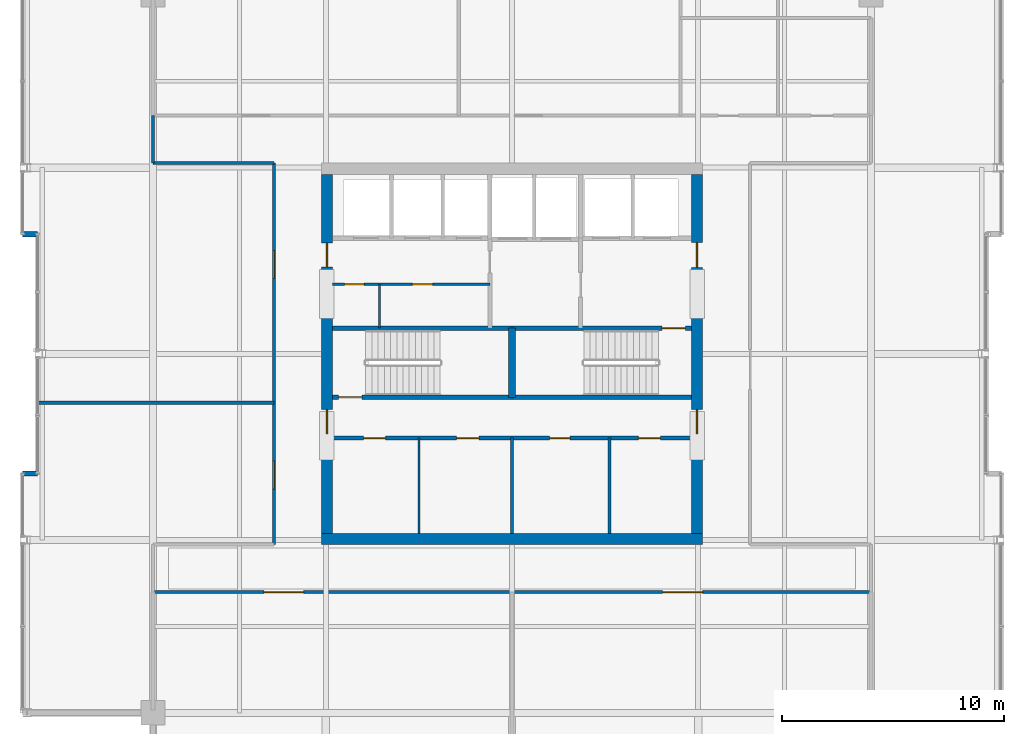
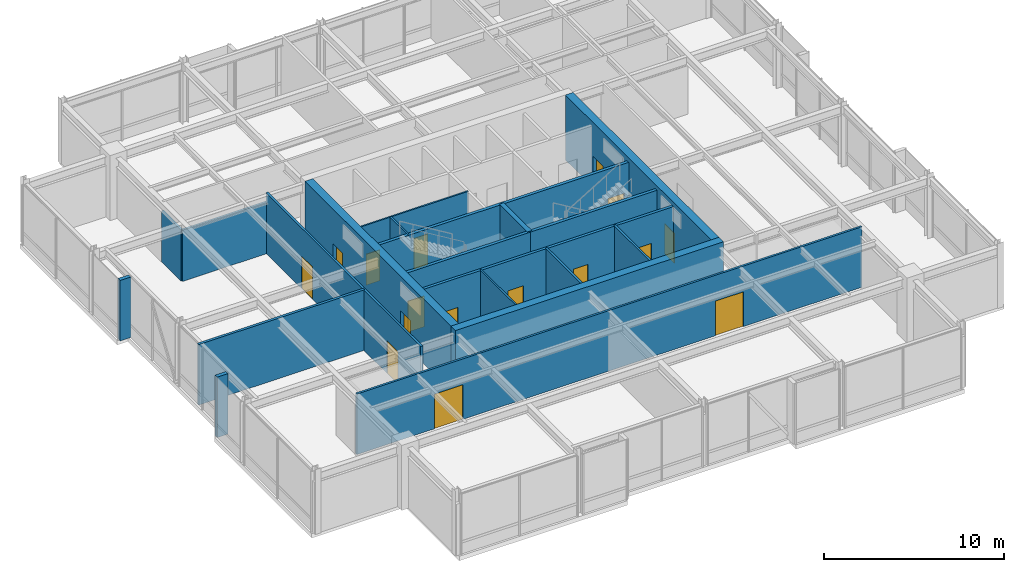
# One storey, part 29 of 34: 21 walls, 16 doors, 16 openings.
"""IFC4 building model written with IfcOpenShell, lengths in metres."""

from ifc_helpers import new_model, si_unit, direction, frame, frame_2d, origin, place, context, subcontext, project, spatial, rectangle, extrude, material, layer, layer_set, type_object, element, fill, save


model = new_model("IFC4")

# Units and contexts
model_context = context("Model", 3, precision=1e-05, world=origin(), true_north=direction((0.0, 1.0)))
body_context = subcontext(model_context, "Body", "Model", "MODEL_VIEW")
ifc_project = project(units=[si_unit("LENGTHUNIT", "METRE"), si_unit("AREAUNIT", "SQUARE_METRE"), si_unit("VOLUMEUNIT", "CUBIC_METRE"), si_unit("PLANEANGLEUNIT", "RADIAN"), si_unit("MASSUNIT", "GRAM", prefix="KILO")], contexts=[model_context])

# Site, building, storey
site_placement = place(None, origin())
site = spatial("IfcSite", under=ifc_project, at=site_placement, CompositionType="ELEMENT")
building_placement = place(site_placement, origin())
building = spatial("IfcBuilding", under=site, at=building_placement, Name="Drelvath Grand Hotel", CompositionType="ELEMENT")
storey_placement = place(building_placement, frame((0.0, 0.0, 294.199951171875)))
storey = spatial("IfcBuildingStorey", under=building, at=storey_placement, Name="L77", CompositionType="ELEMENT", Elevation=294.199951171875)

# Wall, openings, doors
ifc_material_1 = material(Name="Gypsum Partition Board")
ifc_layer_1 = layer(ifc_material_1, 0.10009765625)
ifc_layer_set_1 = layer_set([ifc_layer_1], Name="Gypsum Partition Board")
wall_type_1 = type_object("IfcWallType", Name="Core Closet Partition 100", PredefinedType="PARTITIONING", material=ifc_layer_set_1)
wall_1_placement = place(storey_placement, frame((-8.10009765625, 30.139892578125, 0.0), z_axis=(0.0, 0.0, 1.0), x_axis=(1.0, 0.0, 0.0)))
wall_1 = element("IfcWall", 1, at=wall_1_placement, inside=storey, type_object=wall_type_1, Name="L77 High-Rise Lobby Closet Wall", PredefinedType="PARTITIONING", context=body_context, shape_type="SweptSolid", body=[
    extrude(rectangle(XDim=7.10009765625, YDim=0.10009765625, at=frame_2d((3.550048828125, 0.0))), origin(), (0.0, 0.0, 1.0), 4.10009765625),
])
opening_1_placement = place(wall_1_placement, frame((0.550048828125, 0.0, 0.0)))
opening_1 = element("IfcOpeningElement", 2, at=opening_1_placement, cuts=wall_1, Name="Opening D-L77-014", PredefinedType="OPENING", context=body_context, shape_type="SweptSolid", body=[
    extrude(rectangle(XDim=0.8798828125, YDim=2.10009765625, at=frame_2d((0.43994140625, 1.050048828125))), frame((0.0, 0.06005859375, 0.0), z_axis=(0.0, -1.0, 0.0), x_axis=(1.0, 0.0, 0.0)), (0.0, 0.0, 1.0), 0.1201171875),
])
opening_2_placement = place(wall_1_placement, frame((3.60009765625, 0.0, 0.0)))
opening_2 = element("IfcOpeningElement", 3, at=opening_2_placement, cuts=wall_1, Name="Opening D-L77-015", PredefinedType="OPENING", context=body_context, shape_type="SweptSolid", body=[
    extrude(rectangle(XDim=0.919921875, YDim=2.10009765625, at=frame_2d((0.4599609375, 1.050048828125))), frame((0.0, 0.06005859375, 0.0), z_axis=(0.0, -1.0, 0.0), x_axis=(1.0, 0.0, 0.0)), (0.0, 0.0, 1.0), 0.1201171875),
])
ifc_material_2 = material(Name="Hardwood Walnut Timber", Category="wood")
door_type_1 = type_object("IfcDoorType", Name="En-Suite Bathroom Door 880x2100", OperationType="NOTDEFINED", PredefinedType="DOOR", material=ifc_material_2)
door_1_placement = place(opening_1_placement, origin())
door_1 = element("IfcDoor", 4, at=door_1_placement, inside=storey, type_object=door_type_1, Name="L77 Low-Voltage Closet Door", OperationType="SINGLE_SWING_LEFT", OverallHeight=2.10009765625, OverallWidth=0.8798828125, PredefinedType="DOOR", context=body_context, shape_type="SweptSolid", body=[
    extrude(rectangle(XDim=0.8798828125, YDim=2.10009765625, at=frame_2d((0.43994140625, 1.050048828125))), frame((0.0, 0.02490234375, 0.0), z_axis=(0.0, -1.0, 0.0), x_axis=(1.0, 0.0, 0.0)), (0.0, 0.0, 1.0), 0.050048828125),
])
fill(opening_1, door_1)
ifc_material_3 = material(Name="Painted Steel S275", Category="steel")
door_type_2 = type_object("IfcDoorType", Name="Staff Utility Door 920x2100", OperationType="NOTDEFINED", PredefinedType="DOOR", material=ifc_material_3)
door_2_placement = place(opening_2_placement, origin())
door_2 = element("IfcDoor", 5, at=door_2_placement, inside=storey, type_object=door_type_2, Name="L77 Telecom Distribution Door", OperationType="SINGLE_SWING_RIGHT", OverallHeight=2.10009765625, OverallWidth=0.919921875, PredefinedType="DOOR", context=body_context, shape_type="SweptSolid", body=[
    extrude(rectangle(XDim=0.919921875, YDim=2.10009765625, at=frame_2d((0.4599609375, 1.050048828125))), frame((0.0, 0.02490234375, 0.0), z_axis=(0.0, -1.0, 0.0), x_axis=(1.0, 0.0, 0.0)), (0.0, 0.0, 1.0), 0.050048828125),
])
fill(opening_2, door_2)

# Walls
wall_2_placement = place(storey_placement, frame((-5.97998046875, 28.159912109375, 0.0), z_axis=(0.0, 0.0, 1.0), x_axis=(0.0, 1.0, 0.0)))
element("IfcWall", 6, at=wall_2_placement, inside=storey, type_object=wall_type_1, Name="L77 Core Closet Split 2", PredefinedType="PARTITIONING", context=body_context, shape_type="SweptSolid", body=[
    extrude(rectangle(XDim=1.97998046875, YDim=0.10009765625, at=frame_2d((0.989990234375, 0.0))), origin(), (0.0, 0.0, 1.0), 4.10009765625),
])
wall_3_placement = place(storey_placement, frame((-4.199951171875, 18.89990234375, 0.0), z_axis=(0.0, 0.0, 1.0), x_axis=(0.0, 1.0, 0.0)))
element("IfcWall", 7, at=wall_3_placement, inside=storey, type_object=wall_type_1, Name="L77 Upper Core Split 2A", PredefinedType="PARTITIONING", context=body_context, shape_type="SweptSolid", body=[
    extrude(rectangle(XDim=4.300048828125, YDim=0.10009765625, at=frame_2d((2.14990234375, 0.0))), origin(), (0.0, 0.0, 1.0), 4.10009765625),
])

# Wall, opening, door
ifc_material_4 = material(Name="Concrete C40/50", Category="concrete")
ifc_layer_2 = layer(ifc_material_4, 0.199951171875)
ifc_layer_set_2 = layer_set([ifc_layer_2], Name="Concrete C40/50")
wall_type_2 = type_object("IfcWallType", Name="Core Shaft Fire Wall 200", PredefinedType="SOLIDWALL", material=ifc_layer_set_2)
wall_4_placement = place(storey_placement, frame((-8.10009765625, 25.0400390625, 0.0), z_axis=(0.0, 0.0, 1.0), x_axis=(1.0, 0.0, 0.0)))
wall_4 = element("IfcWall", 8, at=wall_4_placement, inside=storey, type_object=wall_type_2, Name="L77 Stair ST-1 South Wall", PredefinedType="SOLIDWALL", context=body_context, shape_type="SweptSolid", body=[
    extrude(rectangle(XDim=8.10009765625, YDim=0.199951171875, at=frame_2d((4.050048828125, 0.0))), origin(), (0.0, 0.0, 1.0), 4.10009765625),
])
opening_3_placement = place(wall_4_placement, frame((0.280029296875, 0.0, 0.0)))
opening_3 = element("IfcOpeningElement", 9, at=opening_3_placement, cuts=wall_4, Name="Opening D-L77-001", PredefinedType="OPENING", context=body_context, shape_type="SweptSolid", body=[
    extrude(rectangle(XDim=1.050048828125, YDim=2.10009765625, at=frame_2d((0.52490234375, 1.050048828125))), frame((0.0, 0.10986328125, 0.0), z_axis=(0.0, -1.0, 0.0), x_axis=(1.0, 0.0, 0.0)), (0.0, 0.0, 1.0), 0.219970703125),
])
door_type_3 = type_object("IfcDoorType", Name="Tower Stairwell Fire Door 1050x2100", OperationType="NOTDEFINED", PredefinedType="DOOR", material=ifc_material_3)
door_3_placement = place(opening_3_placement, origin())
door_3 = element("IfcDoor", 10, at=door_3_placement, inside=storey, type_object=door_type_3, Name="L77 Exit Stair ST-1 Door", OperationType="SINGLE_SWING_LEFT", OverallHeight=2.10009765625, OverallWidth=1.050048828125, PredefinedType="DOOR", context=body_context, shape_type="SweptSolid", body=[
    extrude(rectangle(XDim=1.050048828125, YDim=2.10009765625, at=frame_2d((0.52490234375, 1.050048828125))), frame((0.0, 0.02490234375, 0.0), z_axis=(0.0, -1.0, 0.0), x_axis=(1.0, 0.0, 0.0)), (0.0, 0.0, 1.0), 0.050048828125),
])
fill(opening_3, door_3)

# Walls
for number, where, z_axis, x_axis, name in (
    (11, (-8.10009765625, 28.159912109375, 0.0), (0.0, 0.0, 1.0), (1.0, 0.0, 0.0), "L77 Stair ST-1 North Wall"),
    (12, (0.0, 25.0400390625, 0.0), (0.0, 0.0, 1.0), (1.0, 0.0, 0.0), "L77 Stair ST-2 South Wall"),
):
    element("IfcWall", number, at=place(storey_placement, frame(where, z_axis=z_axis, x_axis=x_axis)), inside=storey, type_object=wall_type_2, Name=name, PredefinedType="SOLIDWALL", context=body_context, shape_type="SweptSolid", body=[
        extrude(rectangle(XDim=8.10009765625, YDim=0.199951171875, at=frame_2d((4.050048828125, 0.0))), origin(), (0.0, 0.0, 1.0), 4.10009765625),
    ])

# Wall, opening, door
wall_5_placement = place(storey_placement, frame((8.10009765625, 28.159912109375, 0.0), z_axis=(0.0, 0.0, 1.0), x_axis=(-1.0, 0.0, 0.0)))
wall_5 = element("IfcWall", 13, at=wall_5_placement, inside=storey, type_object=wall_type_2, Name="L77 Stair ST-2 North Wall", PredefinedType="SOLIDWALL", context=body_context, shape_type="SweptSolid", body=[
    extrude(rectangle(XDim=8.10009765625, YDim=0.199951171875, at=frame_2d((4.050048828125, 0.0))), origin(), (0.0, 0.0, 1.0), 4.10009765625),
])
opening_4_placement = place(wall_5_placement, frame((0.280029296875, 0.0, 0.0)))
opening_4 = element("IfcOpeningElement", 14, at=opening_4_placement, cuts=wall_5, Name="Opening D-L77-002", PredefinedType="OPENING", context=body_context, shape_type="SweptSolid", body=[
    extrude(rectangle(XDim=1.050048828125, YDim=2.10009765625, at=frame_2d((0.52490234375, 1.050048828125))), frame((0.0, 0.10986328125, 0.0), z_axis=(0.0, -1.0, 0.0), x_axis=(1.0, 0.0, 0.0)), (0.0, 0.0, 1.0), 0.219970703125),
])
door_4_placement = place(opening_4_placement, origin())
door_4 = element("IfcDoor", 15, at=door_4_placement, inside=storey, type_object=door_type_3, Name="L77 Exit Stair ST-2 Door", OperationType="SINGLE_SWING_LEFT", OverallHeight=2.10009765625, OverallWidth=1.050048828125, PredefinedType="DOOR", context=body_context, shape_type="SweptSolid", body=[
    extrude(rectangle(XDim=1.050048828125, YDim=2.10009765625, at=frame_2d((0.52490234375, 1.050048828125))), frame((0.0, 0.02490234375, 0.0), z_axis=(0.0, -1.0, 0.0), x_axis=(1.0, 0.0, 0.0)), (0.0, 0.0, 1.0), 0.050048828125),
])
fill(opening_4, door_4)

# Wall
ifc_layer_3 = layer(ifc_material_4, 0.300048828125)
ifc_layer_set_3 = layer_set([ifc_layer_3], Name="Concrete C40/50")
wall_type_3 = type_object("IfcWallType", Name="Core Shaft Fire Wall 300", PredefinedType="SOLIDWALL", material=ifc_layer_set_3)
wall_6_placement = place(storey_placement, frame((0.0, 25.0400390625, 0.0), z_axis=(0.0, 0.0, 1.0), x_axis=(0.0, 1.0, 0.0)))
element("IfcWall", 16, at=wall_6_placement, inside=storey, type_object=wall_type_3, Name="L77 Core Stair Divider Wall", PredefinedType="SOLIDWALL", context=body_context, shape_type="SweptSolid", body=[
    extrude(rectangle(XDim=3.119873046875, YDim=0.300048828125, at=frame_2d((1.56005859375, 0.0))), origin(), (0.0, 0.0, 1.0), 4.10009765625),
])

# Wall, openings, doors
ifc_material_5 = material(Name="Gypsum Fireboard Partition")
ifc_layer_4 = layer(ifc_material_5, 0.135009765625)
ifc_layer_set_4 = layer_set([ifc_layer_4], Name="Gypsum Fireboard Partition")
wall_type_4 = type_object("IfcWallType", Name="Corridor Fire Barrier Wall 135", PredefinedType="PARTITIONING", material=ifc_layer_set_4)
wall_7_placement = place(storey_placement, frame((-16.199951171875, 16.25, 0.0), z_axis=(0.0, 0.0, 1.0), x_axis=(1.0, 0.0, 0.0)))
wall_7 = element("IfcWall", 17, at=wall_7_placement, inside=storey, type_object=wall_type_4, Name="L77 Sky South Foyer Wall", PredefinedType="PARTITIONING", context=body_context, shape_type="SweptSolid", body=[
    extrude(rectangle(XDim=32.39990234375, YDim=0.135009765625, at=frame_2d((16.199951171875, 0.0))), origin(), (0.0, 0.0, 1.0), 4.10009765625),
])
opening_5_placement = place(wall_7_placement, frame((5.0, 0.0, 0.0)))
opening_5 = element("IfcOpeningElement", 18, at=opening_5_placement, cuts=wall_7, Name="Opening D-L77-022", PredefinedType="OPENING", context=body_context, shape_type="SweptSolid", body=[
    extrude(rectangle(XDim=1.800048828125, YDim=2.35009765625, at=frame_2d((0.89990234375, 1.175048828125))), frame((0.0, 0.077392578125, 0.0), z_axis=(0.0, -1.0, 0.0), x_axis=(1.0, 0.0, 0.0)), (0.0, 0.0, 1.0), 0.155029296875),
])
opening_6_placement = place(wall_7_placement, frame((23.0, 0.0, 0.0)))
opening_6 = element("IfcOpeningElement", 19, at=opening_6_placement, cuts=wall_7, Name="Opening D-L77-023", PredefinedType="OPENING", context=body_context, shape_type="SweptSolid", body=[
    extrude(rectangle(XDim=1.800048828125, YDim=2.35009765625, at=frame_2d((0.89990234375, 1.175048828125))), frame((0.0, 0.077392578125, 0.0), z_axis=(0.0, -1.0, 0.0), x_axis=(1.0, 0.0, 0.0)), (0.0, 0.0, 1.0), 0.155029296875),
])
ifc_material_6 = material(Name="Hardwood Bronze-Clad Timber", Category="wood")
door_type_4 = type_object("IfcDoorType", Name="Assembly Double Fire Door 1800x2350", OperationType="NOTDEFINED", PredefinedType="DOOR", material=ifc_material_6)
door_5_placement = place(opening_5_placement, origin())
door_5 = element("IfcDoor", 20, at=door_5_placement, inside=storey, type_object=door_type_4, Name="L77 South Manhattan Observatory Gallery Door", OperationType="DOUBLE_DOOR_SINGLE_SWING", OverallHeight=2.35009765625, OverallWidth=1.800048828125, PredefinedType="DOOR", context=body_context, shape_type="SweptSolid", body=[
    extrude(rectangle(XDim=1.800048828125, YDim=2.35009765625, at=frame_2d((0.89990234375, 1.175048828125))), frame((0.0, 0.02490234375, 0.0), z_axis=(0.0, -1.0, 0.0), x_axis=(1.0, 0.0, 0.0)), (0.0, 0.0, 1.0), 0.050048828125),
])
fill(opening_5, door_5)
door_6_placement = place(opening_6_placement, origin())
door_6 = element("IfcDoor", 21, at=door_6_placement, inside=storey, type_object=door_type_4, Name="L77 East River Viewing Deck Salon Door", OperationType="DOUBLE_DOOR_SINGLE_SWING", OverallHeight=2.35009765625, OverallWidth=1.800048828125, PredefinedType="DOOR", context=body_context, shape_type="SweptSolid", body=[
    extrude(rectangle(XDim=1.800048828125, YDim=2.35009765625, at=frame_2d((0.89990234375, 1.175048828125))), frame((0.0, 0.02490234375, 0.0), z_axis=(0.0, -1.0, 0.0), x_axis=(1.0, 0.0, 0.0)), (0.0, 0.0, 1.0), 0.050048828125),
])
fill(opening_6, door_6)

# Wall
wall_8_placement = place(storey_placement, frame((-16.199951171875, 35.60009765625, 0.0), z_axis=(0.0, 0.0, 1.0), x_axis=(1.0, 0.0, 0.0)))
element("IfcWall", 22, at=wall_8_placement, inside=storey, type_object=wall_type_4, Name="L77 Sky NW Spur Inner Wall", PredefinedType="PARTITIONING", context=body_context, shape_type="SweptSolid", body=[
    extrude(rectangle(XDim=5.449951171875, YDim=0.135009765625, at=frame_2d((2.72509765625, 0.0))), origin(), (0.0, 0.0, 1.0), 3.4775390625),
])

# Wall, openings, doors
wall_9_placement = place(storey_placement, frame((-10.75, 18.39990234375, 0.0), z_axis=(0.0, 0.0, 1.0), x_axis=(0.0, 1.0, 0.0)))
wall_9 = element("IfcWall", 23, at=wall_9_placement, inside=storey, type_object=wall_type_4, Name="L77 Sky West Foyer Wall", PredefinedType="PARTITIONING", context=body_context, shape_type="SweptSolid", body=[
    extrude(rectangle(XDim=17.2001953125, YDim=0.135009765625, at=frame_2d((8.60009765625, 0.0))), origin(), (0.0, 0.0, 1.0), 4.10009765625),
])
opening_7_placement = place(wall_9_placement, frame((2.5, 0.0, 0.0)))
opening_7 = element("IfcOpeningElement", 24, at=opening_7_placement, cuts=wall_9, Name="Opening D-L77-028", PredefinedType="OPENING", context=body_context, shape_type="SweptSolid", body=[
    extrude(rectangle(XDim=1.260009765625, YDim=2.199951171875, at=frame_2d((0.6298828125, 1.10009765625))), frame((0.0, 0.077392578125, 0.0), z_axis=(0.0, -1.0, 0.0), x_axis=(1.0, 0.0, 0.0)), (0.0, 0.0, 1.0), 0.155029296875),
])
opening_8_placement = place(wall_9_placement, frame((12.0, 0.0, 0.0)))
opening_8 = element("IfcOpeningElement", 25, at=opening_8_placement, cuts=wall_9, Name="Opening D-L77-029", PredefinedType="OPENING", context=body_context, shape_type="SweptSolid", body=[
    extrude(rectangle(XDim=1.260009765625, YDim=2.199951171875, at=frame_2d((0.6298828125, 1.10009765625))), frame((0.0, 0.077392578125, 0.0), z_axis=(0.0, -1.0, 0.0), x_axis=(1.0, 0.0, 0.0)), (0.0, 0.0, 1.0), 0.155029296875),
])
door_type_5 = type_object("IfcDoorType", Name="Suite Entrance Fire Door 1260x2200", OperationType="NOTDEFINED", PredefinedType="DOOR", material=ifc_material_2)
door_7_placement = place(opening_7_placement, origin())
door_7 = element("IfcDoor", 26, at=door_7_placement, inside=storey, type_object=door_type_5, Name="L77 Curator Ticket Reception Door", OperationType="SINGLE_SWING_LEFT", OverallHeight=2.199951171875, OverallWidth=1.260009765625, PredefinedType="DOOR", context=body_context, shape_type="SweptSolid", body=[
    extrude(rectangle(XDim=1.260009765625, YDim=2.199951171875, at=frame_2d((0.6298828125, 1.10009765625))), frame((0.0, 0.02490234375, 0.0), z_axis=(0.0, -1.0, 0.0), x_axis=(1.0, 0.0, 0.0)), (0.0, 0.0, 1.0), 0.050048828125),
])
fill(opening_7, door_7)
door_8_placement = place(opening_8_placement, origin())
door_8 = element("IfcDoor", 27, at=door_8_placement, inside=storey, type_object=door_type_5, Name="L77 Sky Gift Boutique Door", OperationType="SINGLE_SWING_RIGHT", OverallHeight=2.199951171875, OverallWidth=1.260009765625, PredefinedType="DOOR", context=body_context, shape_type="SweptSolid", body=[
    extrude(rectangle(XDim=1.260009765625, YDim=2.199951171875, at=frame_2d((0.6298828125, 1.10009765625))), frame((0.0, 0.02490234375, 0.0), z_axis=(0.0, -1.0, 0.0), x_axis=(1.0, 0.0, 0.0)), (0.0, 0.0, 1.0), 0.050048828125),
])
fill(opening_8, door_8)

# Walls
wall_10_placement = place(storey_placement, frame((-16.199951171875, 35.60009765625, 0.0), z_axis=(0.0, 0.0, 1.0), x_axis=(0.0, 1.0, 0.0)))
element("IfcWall", 28, at=wall_10_placement, inside=storey, type_object=wall_type_4, Name="L77 Sky North Foyer West End", PredefinedType="PARTITIONING", context=body_context, shape_type="SweptSolid", body=[
    extrude(rectangle(XDim=2.14990234375, YDim=0.135009765625, at=frame_2d((1.074951171875, 0.0))), origin(), (0.0, 0.0, 1.0), 3.47412109375),
])
ifc_material_7 = material(Name="Moisture-Resistant Gypsum Board")
ifc_layer_5 = layer(ifc_material_7, 0.139892578125)
ifc_layer_set_5 = layer_set([ifc_layer_5], Name="Moisture-Resistant Gypsum Board")
wall_type_5 = type_object("IfcWallType", Name="En-Suite Plumbing Wall 140", PredefinedType="PLUMBINGWALL", material=ifc_layer_set_5)
for number, where, z_axis, x_axis, name in (
    (29, (0.0, 18.89990234375, 0.0), (0.0, 0.0, 1.0), (0.0, 1.0, 0.0), "L77 Upper Core Split 2B"),
    (30, (4.39990234375, 18.89990234375, 0.0), (0.0, 0.0, 1.0), (0.0, 1.0, 0.0), "L77 Upper Core Split 2C"),
):
    element("IfcWall", number, at=place(storey_placement, frame(where, z_axis=z_axis, x_axis=x_axis)), inside=storey, type_object=wall_type_5, Name=name, PredefinedType="PLUMBINGWALL", context=body_context, shape_type="SweptSolid", body=[
        extrude(rectangle(XDim=4.300048828125, YDim=0.139892578125, at=frame_2d((2.14990234375, 0.0))), origin(), (0.0, 0.0, 1.0), 4.10009765625),
    ])

# Wall, openings, doors
ifc_layer_6 = layer(ifc_material_5, 0.179931640625)
ifc_layer_set_6 = layer_set([ifc_layer_6], Name="Gypsum Fireboard Partition")
wall_type_6 = type_object("IfcWallType", Name="FSAE Smoke Lobby Fire Wall 180", PredefinedType="SOLIDWALL", material=ifc_layer_set_6)
wall_11_placement = place(storey_placement, frame((-8.10009765625, 23.199951171875, 0.0), z_axis=(0.0, 0.0, 1.0), x_axis=(1.0, 0.0, 0.0)))
wall_11 = element("IfcWall", 31, at=wall_11_placement, inside=storey, type_object=wall_type_6, Name="L77 Upper Reclaimed Core Wall", PredefinedType="SOLIDWALL", context=body_context, shape_type="SweptSolid", body=[
    extrude(rectangle(XDim=16.2001953125, YDim=0.179931640625, at=frame_2d((8.10009765625, 0.0))), origin(), (0.0, 0.0, 1.0), 4.10009765625),
])
opening_9_placement = place(wall_11_placement, frame((1.39990234375, 0.0, 0.0)))
opening_9 = element("IfcOpeningElement", 32, at=opening_9_placement, cuts=wall_11, Name="Opening D-L77-018", PredefinedType="OPENING", context=body_context, shape_type="SweptSolid", body=[
    extrude(rectangle(XDim=1.0, YDim=2.10009765625, at=frame_2d((0.5, 1.050048828125))), frame((0.0, 0.099853515625, 0.0), z_axis=(0.0, -1.0, 0.0), x_axis=(1.0, 0.0, 0.0)), (0.0, 0.0, 1.0), 0.199951171875),
])
opening_10_placement = place(wall_11_placement, frame((5.60009765625, 0.0, 0.0)))
opening_10 = element("IfcOpeningElement", 33, at=opening_10_placement, cuts=wall_11, Name="Opening D-L77-019", PredefinedType="OPENING", context=body_context, shape_type="SweptSolid", body=[
    extrude(rectangle(XDim=1.0, YDim=2.10009765625, at=frame_2d((0.5, 1.050048828125))), frame((0.0, 0.099853515625, 0.0), z_axis=(0.0, -1.0, 0.0), x_axis=(1.0, 0.0, 0.0)), (0.0, 0.0, 1.0), 0.199951171875),
])
opening_11_placement = place(wall_11_placement, frame((9.800048828125, 0.0, 0.0)))
opening_11 = element("IfcOpeningElement", 34, at=opening_11_placement, cuts=wall_11, Name="Opening D-L77-020", PredefinedType="OPENING", context=body_context, shape_type="SweptSolid", body=[
    extrude(rectangle(XDim=0.919921875, YDim=2.10009765625, at=frame_2d((0.4599609375, 1.050048828125))), frame((0.0, 0.099853515625, 0.0), z_axis=(0.0, -1.0, 0.0), x_axis=(1.0, 0.0, 0.0)), (0.0, 0.0, 1.0), 0.199951171875),
])
opening_12_placement = place(wall_11_placement, frame((13.800048828125, 0.0, 0.0)))
opening_12 = element("IfcOpeningElement", 35, at=opening_12_placement, cuts=wall_11, Name="Opening D-L77-021", PredefinedType="OPENING", context=body_context, shape_type="SweptSolid", body=[
    extrude(rectangle(XDim=1.0, YDim=2.10009765625, at=frame_2d((0.5, 1.050048828125))), frame((0.0, 0.099853515625, 0.0), z_axis=(0.0, -1.0, 0.0), x_axis=(1.0, 0.0, 0.0)), (0.0, 0.0, 1.0), 0.199951171875),
])
door_type_6 = type_object("IfcDoorType", Name="Core Service Fire Door 1000x2100", OperationType="NOTDEFINED", PredefinedType="DOOR", material=ifc_material_3)
door_9_placement = place(opening_9_placement, origin())
door_9 = element("IfcDoor", 36, at=door_9_placement, inside=storey, type_object=door_type_6, Name="L77 Housekeeping Door", OperationType="SINGLE_SWING_LEFT", OverallHeight=2.10009765625, OverallWidth=1.0, PredefinedType="DOOR", context=body_context, shape_type="SweptSolid", body=[
    extrude(rectangle(XDim=1.0, YDim=2.10009765625, at=frame_2d((0.5, 1.050048828125))), frame((0.0, 0.02490234375, 0.0), z_axis=(0.0, -1.0, 0.0), x_axis=(1.0, 0.0, 0.0)), (0.0, 0.0, 1.0), 0.050048828125),
])
fill(opening_9, door_9)
door_10_placement = place(opening_10_placement, origin())
door_10 = element("IfcDoor", 37, at=door_10_placement, inside=storey, type_object=door_type_6, Name="L77 Valet Door", OperationType="SINGLE_SWING_RIGHT", OverallHeight=2.10009765625, OverallWidth=1.0, PredefinedType="DOOR", context=body_context, shape_type="SweptSolid", body=[
    extrude(rectangle(XDim=1.0, YDim=2.10009765625, at=frame_2d((0.5, 1.050048828125))), frame((0.0, 0.02490234375, 0.0), z_axis=(0.0, -1.0, 0.0), x_axis=(1.0, 0.0, 0.0)), (0.0, 0.0, 1.0), 0.050048828125),
])
fill(opening_10, door_10)
door_11_placement = place(opening_11_placement, origin())
door_11 = element("IfcDoor", 38, at=door_11_placement, inside=storey, type_object=door_type_6, Name="L77 Staff WC Door", OperationType="SINGLE_SWING_LEFT", OverallHeight=2.10009765625, OverallWidth=0.919921875, PredefinedType="DOOR", context=body_context, shape_type="SweptSolid", body=[
    extrude(rectangle(XDim=0.919921875, YDim=2.10009765625, at=frame_2d((0.4599609375, 1.050048828125))), frame((0.0, 0.02490234375, 0.0), z_axis=(0.0, -1.0, 0.0), x_axis=(1.0, 0.0, 0.0)), (0.0, 0.0, 1.0), 0.050048828125),
])
fill(opening_11, door_11)
door_12_placement = place(opening_12_placement, origin())
door_12 = element("IfcDoor", 39, at=door_12_placement, inside=storey, type_object=door_type_6, Name="L77 Telecom Door", OperationType="SINGLE_SWING_RIGHT", OverallHeight=2.10009765625, OverallWidth=1.0, PredefinedType="DOOR", context=body_context, shape_type="SweptSolid", body=[
    extrude(rectangle(XDim=1.0, YDim=2.10009765625, at=frame_2d((0.5, 1.050048828125))), frame((0.0, 0.02490234375, 0.0), z_axis=(0.0, -1.0, 0.0), x_axis=(1.0, 0.0, 0.0)), (0.0, 0.0, 1.0), 0.050048828125),
])
fill(opening_12, door_12)

# Walls
ifc_material_8 = material(Name="Gypsum Acoustic Partition")
ifc_layer_7 = layer(ifc_material_8, 0.1650390625)
ifc_layer_set_7 = layer_set([ifc_layer_7], Name="Gypsum Acoustic Partition")
wall_type_7 = type_object("IfcWallType", Name="Suite Demising Wall 165", PredefinedType="PARTITIONING", material=ifc_layer_set_7)
wall_12_placement = place(storey_placement, frame((-21.39990234375, 24.800048828125, 0.0), z_axis=(0.0, 0.0, 1.0), x_axis=(1.0, 0.0, 0.0)))
element("IfcWall", 40, at=wall_12_placement, inside=storey, type_object=wall_type_7, Name="L77 Sky West Split", PredefinedType="PARTITIONING", context=body_context, shape_type="SweptSolid", body=[
    extrude(rectangle(XDim=10.64990234375, YDim=0.1650390625, at=frame_2d((5.324951171875, 0.0))), origin(), (0.0, 0.0, 1.0), 4.10009765625),
])
ifc_material_9 = material(Name="Pale-Metal Insulated Aluminium Spandrel Assembly", Category="aluminium")
ifc_layer_8 = layer(ifc_material_9, 0.239990234375)
ifc_layer_set_8 = layer_set([ifc_layer_8], Name="Pale-Metal Insulated Aluminium Spandrel Assembly")
wall_type_8 = type_object("IfcWallType", Name="Tower Insulated Metal Spandrel Closure Wall 240", PredefinedType="STANDARD", material=ifc_layer_set_8)
for number, where, z_axis, x_axis, name in (
    (41, (-22.080078125, 21.60009765625, 0.0), (0.0, 0.0, 1.0), (1.0, 0.0, 0.0), "L77 Notched Corner Return Spandrel Wall RW1"),
    (42, (-21.39990234375, 32.39990234375, 0.0), (0.0, 0.0, 1.0), (-1.0, 0.0, 0.0), "L77 Notched Corner Return Spandrel Wall RW2"),
):
    element("IfcWall", number, at=place(storey_placement, frame(where, z_axis=z_axis, x_axis=x_axis)), inside=storey, type_object=wall_type_8, Name=name, PredefinedType="STANDARD", context=body_context, shape_type="SweptSolid", body=[
        extrude(rectangle(XDim=0.68017578125, YDim=0.239990234375, at=frame_2d((0.340087890625, 0.0))), origin(), (0.0, 0.0, 1.0), 4.10009765625),
    ])

# Wall, openings, doors
ifc_material_10 = material(Name="Concrete f'c 55 MPa", Category="concrete")
ifc_layer_9 = layer(ifc_material_10, 0.5)
ifc_layer_set_9 = layer_set([ifc_layer_9], Name="Concrete f'c 55 MPa")
wall_type_9 = type_object("IfcWallType", Name="Upper Core RC Shear Wall 500", PredefinedType="SHEAR", material=ifc_layer_set_9)
wall_13_placement = place(storey_placement, frame((8.35009765625, 35.10009765625, 0.0), z_axis=(0.0, 0.0, 1.0), x_axis=(0.0, -1.0, 0.0)))
wall_13 = element("IfcWall", 43, at=wall_13_placement, inside=storey, type_object=wall_type_9, Name="L77 Central Core Shear Wall E", PredefinedType="SHEAR", context=body_context, shape_type="SweptSolid", body=[
    extrude(rectangle(XDim=16.2001953125, YDim=0.5, at=frame_2d((8.10009765625, 0.0))), origin(), (0.0, 0.0, 1.0), 4.400146484375),
])
opening_13_placement = place(wall_13_placement, frame((3.080078125, 0.0, 0.0)))
opening_13 = element("IfcOpeningElement", 44, at=opening_13_placement, cuts=wall_13, Name="Opening D-L77-006", PredefinedType="OPENING", context=body_context, shape_type="SweptSolid", body=[
    extrude(rectangle(XDim=1.1201171875, YDim=2.10009765625, at=frame_2d((0.56005859375, 1.050048828125))), frame((0.0, 0.260009765625, 0.0), z_axis=(0.0, -1.0, 0.0), x_axis=(1.0, 0.0, 0.0)), (0.0, 0.0, 1.0), 0.52001953125),
])
opening_14_placement = place(wall_13_placement, frame((10.6201171875, 0.0, 0.0)))
opening_14 = element("IfcOpeningElement", 45, at=opening_14_placement, cuts=wall_13, Name="Opening D-L77-017", PredefinedType="OPENING", context=body_context, shape_type="SweptSolid", body=[
    extrude(rectangle(XDim=1.080078125, YDim=2.0400390625, at=frame_2d((0.5400390625, 1.02001953125))), frame((0.0, 0.260009765625, 0.0), z_axis=(0.0, -1.0, 0.0), x_axis=(1.0, 0.0, 0.0)), (0.0, 0.0, 1.0), 0.52001953125),
])
door_type_7 = type_object("IfcDoorType", Name="Core Corridor Fire Door 1080x2100", OperationType="NOTDEFINED", PredefinedType="DOOR", material=ifc_material_3)
door_13_placement = place(opening_14_placement, origin())
door_13 = element("IfcDoor", 46, at=door_13_placement, inside=storey, type_object=door_type_7, Name="L77 Core Passage East Door", OperationType="SINGLE_SWING_RIGHT", OverallHeight=2.0400390625, OverallWidth=1.080078125, PredefinedType="DOOR", context=body_context, shape_type="SweptSolid", body=[
    extrude(rectangle(XDim=1.080078125, YDim=2.0400390625, at=frame_2d((0.5400390625, 1.02001953125))), frame((0.0, 0.02490234375, 0.0), z_axis=(0.0, -1.0, 0.0), x_axis=(1.0, 0.0, 0.0)), (0.0, 0.0, 1.0), 0.050048828125),
])
fill(opening_14, door_13)
door_type_8 = type_object("IfcDoorType", Name="FSAE Smoke Lobby Fire Door 1120x2100", OperationType="NOTDEFINED", PredefinedType="DOOR", material=ifc_material_3)
door_14_placement = place(opening_13_placement, origin())
door_14 = element("IfcDoor", 47, at=door_14_placement, inside=storey, type_object=door_type_8, Name="L77 FSAE Lobby East Corridor Door", OperationType="SINGLE_SWING_LEFT", OverallHeight=2.10009765625, OverallWidth=1.1201171875, PredefinedType="DOOR", context=body_context, shape_type="SweptSolid", body=[
    extrude(rectangle(XDim=1.1201171875, YDim=2.10009765625, at=frame_2d((0.56005859375, 1.050048828125))), frame((0.0, 0.02490234375, 0.0), z_axis=(0.0, -1.0, 0.0), x_axis=(1.0, 0.0, 0.0)), (0.0, 0.0, 1.0), 0.050048828125),
])
fill(opening_13, door_14)

# Wall
wall_14_placement = place(storey_placement, frame((8.60009765625, 18.64990234375, 0.0), z_axis=(0.0, 0.0, 1.0), x_axis=(-1.0, 0.0, 0.0)))
element("IfcWall", 48, at=wall_14_placement, inside=storey, type_object=wall_type_9, Name="L77 Central Core Shear Wall S", PredefinedType="SHEAR", context=body_context, shape_type="SweptSolid", body=[
    extrude(rectangle(XDim=17.2001953125, YDim=0.5, at=frame_2d((8.60009765625, 0.0))), origin(), (0.0, 0.0, 1.0), 4.400146484375),
])

# Wall, openings, doors
wall_15_placement = place(storey_placement, frame((-8.35009765625, 18.89990234375, 0.0), z_axis=(0.0, 0.0, 1.0), x_axis=(0.0, 1.0, 0.0)))
wall_15 = element("IfcWall", 49, at=wall_15_placement, inside=storey, type_object=wall_type_9, Name="L77 Central Core Shear Wall W", PredefinedType="SHEAR", context=body_context, shape_type="SweptSolid", body=[
    extrude(rectangle(XDim=16.2001953125, YDim=0.5, at=frame_2d((8.10009765625, 0.0))), origin(), (0.0, 0.0, 1.0), 4.400146484375),
])
opening_15_placement = place(wall_15_placement, frame((12.02001953125, 0.0, 0.0)))
opening_15 = element("IfcOpeningElement", 50, at=opening_15_placement, cuts=wall_15, Name="Opening D-L77-013", PredefinedType="OPENING", context=body_context, shape_type="SweptSolid", body=[
    extrude(rectangle(XDim=1.080078125, YDim=2.0400390625, at=frame_2d((0.5400390625, 1.02001953125))), frame((0.0, 0.260009765625, 0.0), z_axis=(0.0, -1.0, 0.0), x_axis=(1.0, 0.0, 0.0)), (0.0, 0.0, 1.0), 0.52001953125),
])
opening_16_placement = place(wall_15_placement, frame((4.5, 0.0, 0.0)))
opening_16 = element("IfcOpeningElement", 51, at=opening_16_placement, cuts=wall_15, Name="Opening D-L77-016", PredefinedType="OPENING", context=body_context, shape_type="SweptSolid", body=[
    extrude(rectangle(XDim=1.080078125, YDim=2.0400390625, at=frame_2d((0.5400390625, 1.02001953125))), frame((0.0, 0.260009765625, 0.0), z_axis=(0.0, -1.0, 0.0), x_axis=(1.0, 0.0, 0.0)), (0.0, 0.0, 1.0), 0.52001953125),
])
door_15_placement = place(opening_15_placement, origin())
door_15 = element("IfcDoor", 52, at=door_15_placement, inside=storey, type_object=door_type_7, Name="L77 High-Rise Lift Lobby West Door", OperationType="SINGLE_SWING_RIGHT", OverallHeight=2.0400390625, OverallWidth=1.080078125, PredefinedType="DOOR", context=body_context, shape_type="SweptSolid", body=[
    extrude(rectangle(XDim=1.080078125, YDim=2.0400390625, at=frame_2d((0.5400390625, 1.02001953125))), frame((0.0, 0.02490234375, 0.0), z_axis=(0.0, -1.0, 0.0), x_axis=(1.0, 0.0, 0.0)), (0.0, 0.0, 1.0), 0.050048828125),
])
fill(opening_15, door_15)
door_16_placement = place(opening_16_placement, origin())
door_16 = element("IfcDoor", 53, at=door_16_placement, inside=storey, type_object=door_type_7, Name="L77 Core Passage West Door", OperationType="SINGLE_SWING_LEFT", OverallHeight=2.0400390625, OverallWidth=1.080078125, PredefinedType="DOOR", context=body_context, shape_type="SweptSolid", body=[
    extrude(rectangle(XDim=1.080078125, YDim=2.0400390625, at=frame_2d((0.5400390625, 1.02001953125))), frame((0.0, 0.02490234375, 0.0), z_axis=(0.0, -1.0, 0.0), x_axis=(1.0, 0.0, 0.0)), (0.0, 0.0, 1.0), 0.050048828125),
])
fill(opening_16, door_16)

save(model, "model.ifc")
